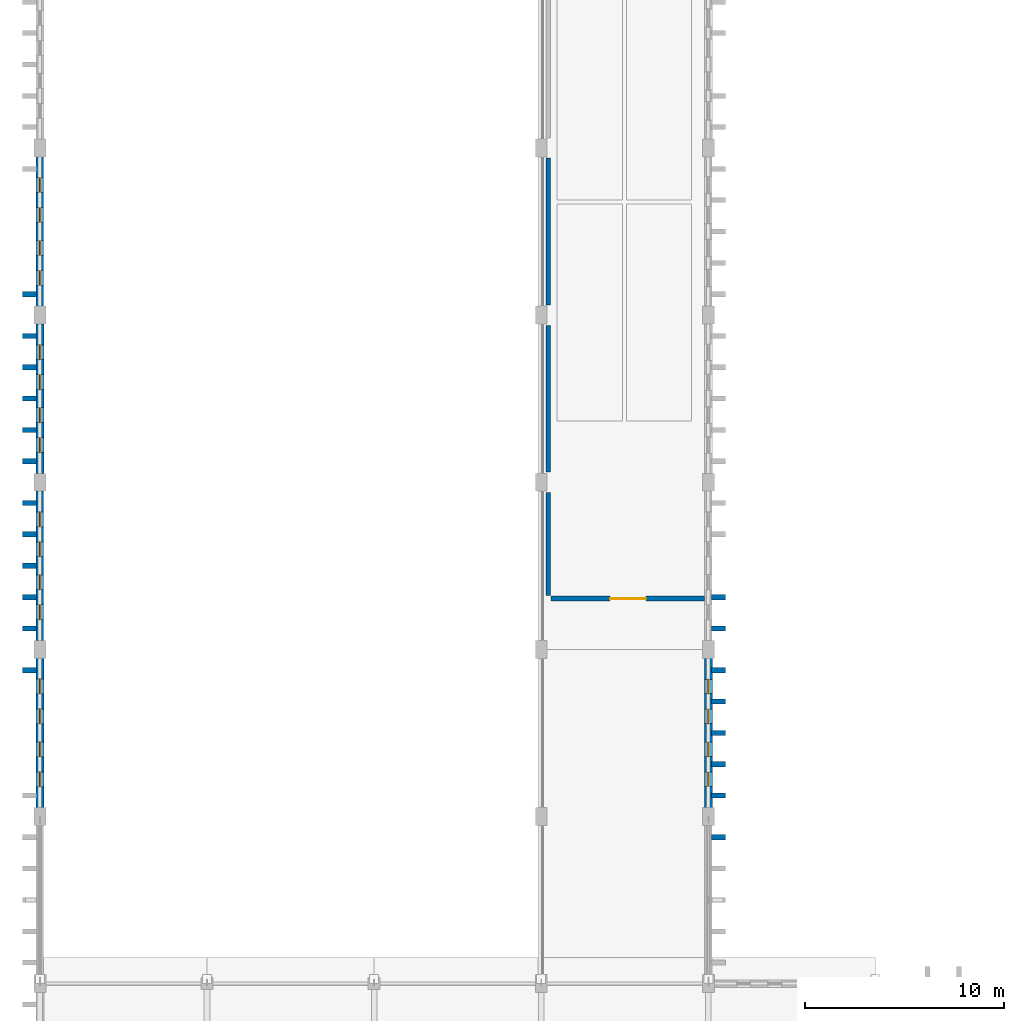
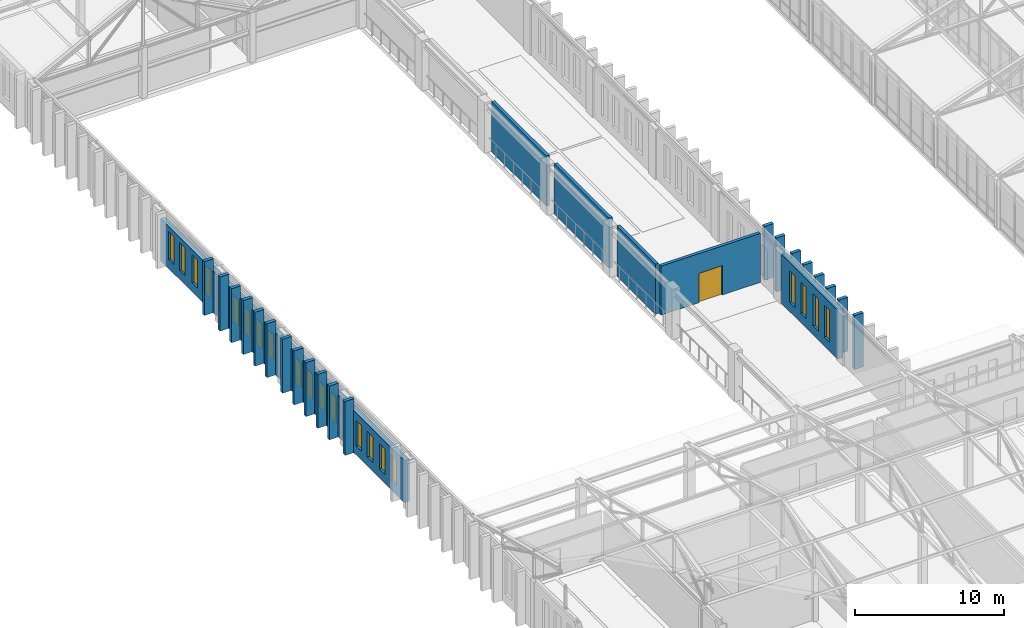
# One storey, part 158 of 192: 29 walls, 20 windows, 1 door, 21 openings.
"""IFC4 building model written with IfcOpenShell, lengths in metres."""

import ifcopenshell
import ifcopenshell.guid

model = None  # the IFC model being written
_history = None  # IfcOwnerHistory: only IFC2X3 demands one
_inside = {}  # id of a spatial element -> (the spatial element, [elements in it])
_under = {}  # id of a project, library or spatial element -> (it, [spatial elements below it])
_declared = {}  # id of a project -> (the project, [libraries it declares])
_typed = {}  # id of a type object -> (the type object, [elements of that type])
_made_of = {}  # id of a material, layer set ... -> (it, [elements and type objects made of it])


def new_model(schema):
    """Start an empty IFC model of exactly this schema.

    Asked for "IFC4X3", IfcOpenShell would pick the latest addendum, in which some entities
    have other attributes; the version numbers below select the first issue.
    IFC2X3 requires an IfcOwnerHistory on every rooted entity: one is made here for all.
    """
    global model, _history
    if schema == "IFC4X3":
        model = ifcopenshell.file(schema_version=(4, 3, 0, 0))
    else:
        model = ifcopenshell.file(schema=schema)
    _inside.clear()
    _under.clear()
    _declared.clear()
    _typed.clear()
    _made_of.clear()
    _history = None
    if model.schema == "IFC2X3":
        org = make("IfcOrganization", Name="unknown")
        user = make(
            "IfcPersonAndOrganization",
            ThePerson=make("IfcPerson", FamilyName="unknown"),
            TheOrganization=org,
        )
        app = make(
            "IfcApplication",
            ApplicationDeveloper=org,
            Version="unknown",
            ApplicationFullName="unknown",
            ApplicationIdentifier="unknown",
        )
        _history = make(
            "IfcOwnerHistory",
            OwningUser=user,
            OwningApplication=app,
            ChangeAction="ADDED",
            CreationDate=0,
        )
    return model


def make(cls, **values):
    """One entity of the class cls with the attributes given. An attribute that is None is left unset."""
    return model.create_entity(
        cls, **{name: value for name, value in values.items() if value is not None}
    )


def rooted(cls, **values):
    """An entity with a GlobalId (a new one), such as an element, a storey or a relation."""
    return make(cls, GlobalId=ifcopenshell.guid.new(), OwnerHistory=_history, **values)


def si_unit(unit_type, name, prefix=None):
    """IfcSIUnit, for example si_unit("LENGTHUNIT", "METRE", prefix="MILLI")."""
    return make("IfcSIUnit", UnitType=unit_type, Prefix=prefix, Name=name)


def assignment(units):
    """IfcUnitAssignment: the units of a project."""
    return None if units is None else make("IfcUnitAssignment", Units=units)


def point(xyz):
    """IfcCartesianPoint."""
    return None if xyz is None else make("IfcCartesianPoint", Coordinates=xyz)


def direction(xyz):
    """IfcDirection."""
    return None if xyz is None else make("IfcDirection", DirectionRatios=xyz)


def frame(location, z_axis=None, x_axis=None):
    """IfcAxis2Placement3D, a coordinate frame: its origin and axes. An axis left out is left unset."""
    return make(
        "IfcAxis2Placement3D",
        Location=point(location),
        Axis=direction(z_axis),
        RefDirection=direction(x_axis),
    )


def frame_2d(location, x_axis=None):
    """IfcAxis2Placement2D, a coordinate frame in the plane: its origin and x axis."""
    return make(
        "IfcAxis2Placement2D", Location=point(location), RefDirection=direction(x_axis)
    )


def origin():
    """The frame at (0, 0, 0) with its axes left unset."""
    return frame((0.0, 0.0, 0.0))


def place(relative_to, where):
    """IfcLocalPlacement: puts the frame where relative to a parent placement (None: the world)."""
    return make(
        "IfcLocalPlacement", PlacementRelTo=relative_to, RelativePlacement=where
    )


def context(
    kind, dimensions, precision=None, world=None, true_north=None, identifier=None
):
    """IfcGeometricRepresentationContext, for example the 3D "Model" context."""
    return make(
        "IfcGeometricRepresentationContext",
        ContextIdentifier=identifier,
        ContextType=kind,
        CoordinateSpaceDimension=dimensions,
        Precision=precision,
        WorldCoordinateSystem=world,
        TrueNorth=true_north,
    )


def subcontext(parent, identifier, kind, view, scale=None):
    """IfcGeometricRepresentationSubContext, for example "Body" below "Model"."""
    return make(
        "IfcGeometricRepresentationSubContext",
        ContextIdentifier=identifier,
        ContextType=kind,
        ParentContext=parent,
        TargetScale=scale,
        TargetView=view,
    )


def project(units=None, contexts=None):
    """IfcProject with its units and contexts."""
    return rooted(
        "IfcProject",
        Name="project",
        RepresentationContexts=contexts,
        UnitsInContext=assignment(units),
    )


def spatial(cls, under=None, at=None, **own):
    """A site, building, storey or space (cls), placed at a placement, below another one or the project."""
    s = rooted(cls, ObjectPlacement=at, **own)
    if under is not None:
        _under.setdefault(under.id(), (under, []))[1].append(s)
    return s


def profile(cls, at=None, kind="AREA", **sizes):
    """A parametric profile (cls). Its sizes go by their IFC names, for example OverallWidth=200.0."""
    return make(cls, ProfileType=kind, Position=at, **sizes)


def rectangle(**sizes):
    """IfcRectangleProfileDef."""
    return profile("IfcRectangleProfileDef", **sizes)


def extrude(swept, where, along, depth):
    """IfcExtrudedAreaSolid: the profile swept, set in the frame where, extruded along a direction by depth."""
    return make(
        "IfcExtrudedAreaSolid",
        SweptArea=swept,
        Position=where,
        ExtrudedDirection=direction(along),
        Depth=depth,
    )


def shape(context_of_items, identifier, shape_type, items):
    """IfcShapeRepresentation: the items that make up one representation, for example the "Body"."""
    return make(
        "IfcShapeRepresentation",
        ContextOfItems=context_of_items,
        RepresentationIdentifier=identifier,
        RepresentationType=shape_type,
        Items=items,
    )


def material(Name=None, Category=None):
    """IfcMaterial."""
    return make("IfcMaterial", Name=Name, Category=Category)


def layer(
    of_material, thickness, ventilated=None, Name=None, Category=None, Priority=None
):
    """IfcMaterialLayer: one layer of a wall or slab, of a material (None: an air gap)."""
    return make(
        "IfcMaterialLayer",
        Material=of_material,
        LayerThickness=thickness,
        IsVentilated=ventilated,
        Name=Name,
        Category=Category,
        Priority=Priority,
    )


def layer_set(layers, Name=None):
    """IfcMaterialLayerSet."""
    return make("IfcMaterialLayerSet", MaterialLayers=layers, LayerSetName=Name)


def made_of(thing, what):
    """Note that an element or type object is made of a material, layer set ...; save() writes the relation."""
    if what is not None:
        _made_of.setdefault(what.id(), (what, []))[1].append(thing)
    return thing


def type_object(cls, material=None, **own):
    """A type object (cls), such as IfcWallType, which elements share."""
    return made_of(rooted(cls, **own), material)


def element(
    cls,
    number,
    at=None,
    inside=None,
    cuts=None,
    type_object=None,
    material=None,
    context=None,
    identifier="Body",
    shape_type=None,
    held_by="IfcProductDefinitionShape",
    body=None,
    shapes=None,
    **own,
):
    """One element of the class cls, such as IfcWall. Its Tag is "e" and its number.

    at: its placement. inside: the storey or other place that contains it. cuts: it is an
    opening in that element (IfcRelVoidsElement). A single representation is given by context,
    identifier, shape_type and body (its items); several are given by shapes. held_by: the class
    of the entity that holds the representations. save() writes the other relations.
    """
    e = rooted(cls, Tag="e%d" % number, ObjectPlacement=at, **own)
    if body is not None:
        shapes = [shape(context, identifier, shape_type, body)]
    if shapes is not None:
        e.Representation = make(held_by, Representations=shapes)
    if inside is not None:
        _inside.setdefault(inside.id(), (inside, []))[1].append(e)
    if cuts is not None:
        rooted(
            "IfcRelVoidsElement", RelatingBuildingElement=cuts, RelatedOpeningElement=e
        )
    if type_object is not None:
        _typed.setdefault(type_object.id(), (type_object, []))[1].append(e)
    return made_of(e, material)


def fill(opening, filler):
    """IfcRelFillsElement: the door or window that sits in an opening."""
    return rooted(
        "IfcRelFillsElement",
        RelatingOpeningElement=opening,
        RelatedBuildingElement=filler,
    )


def aggregate(whole, parts):
    """IfcRelAggregates: a whole, such as a stair, and the parts it consists of."""
    return rooted("IfcRelAggregates", RelatingObject=whole, RelatedObjects=parts)


def save(model, path):
    """Write the relations noted so far, then the file.

    IfcRelAggregates (storeys below a building ...), IfcRelContainedInSpatialStructure (elements
    in a storey), IfcRelDefinesByType, IfcRelAssociatesMaterial and IfcRelDeclares: one each for
    every whole, place, type object, material and project.
    """
    for whole, parts in _under.values():
        aggregate(whole, parts)
    for where, things in _inside.values():
        rooted(
            "IfcRelContainedInSpatialStructure",
            RelatedElements=things,
            RelatingStructure=where,
        )
    for kind, things in _typed.values():
        rooted("IfcRelDefinesByType", RelatedObjects=things, RelatingType=kind)
    for what, things in _made_of.values():
        rooted("IfcRelAssociatesMaterial", RelatedObjects=things, RelatingMaterial=what)
    for by, libraries in _declared.values():
        rooted("IfcRelDeclares", RelatingContext=by, RelatedDefinitions=libraries)
    model.write(path)


model = new_model("IFC4")

# Units and contexts
model_context = context("Model", 3, precision=1e-05, world=origin(), true_north=direction((0.0, 1.0)))
body_context = subcontext(model_context, "Body", "Model", "MODEL_VIEW")
ifc_project = project(units=[si_unit("LENGTHUNIT", "METRE"), si_unit("AREAUNIT", "SQUARE_METRE"), si_unit("VOLUMEUNIT", "CUBIC_METRE"), si_unit("PLANEANGLEUNIT", "RADIAN"), si_unit("MASSUNIT", "GRAM", prefix="KILO")], contexts=[model_context])

# Site, building, storey
site_placement = place(None, origin())
site = spatial("IfcSite", under=ifc_project, at=site_placement, CompositionType="ELEMENT")
building_placement = place(site_placement, origin())
building = spatial("IfcBuilding", under=site, at=building_placement, Name="Kveldsbrygga Polytechnic", CompositionType="ELEMENT")
storey_placement = place(building_placement, frame((0.0, 0.0, 5.43994140625)))
storey = spatial("IfcBuildingStorey", under=building, at=storey_placement, Name="L01", CompositionType="ELEMENT", Elevation=5.43994140625)

# Wall, openings, windows
ifc_material_1 = material(Name="Fired clay brick masonry M10", Category="masonry")
ifc_layer_1 = layer(ifc_material_1, 0.3798828125)
ifc_layer_set_1 = layer_set([ifc_layer_1], Name="Fired clay brick masonry M10")
wall_type_1 = type_object("IfcWallType", Name="EW-BRICK-380", PredefinedType="SOLIDWALL", material=ifc_layer_set_1)
wall_1_placement = place(storey_placement, frame((0.0, 42.43505859375, 0.0), z_axis=(0.0, 0.0, 1.0), x_axis=(0.0, 1.0, 0.0)))
wall_1 = element("IfcWall", 1, at=wall_1_placement, inside=storey, type_object=wall_type_1, Name="Exterior Brick Wall EW-L01-Y-00-05", PredefinedType="SOLIDWALL", context=body_context, shape_type="SweptSolid", body=[
    extrude(rectangle(XDim=7.530029296875, YDim=0.3798828125, at=frame_2d((3.76513671875, 0.0))), origin(), (0.0, 0.0, 1.0), 3.4599609375),
])
opening_1_placement = place(wall_1_placement, frame((1.0556640625, 0.0, 0.75)))
opening_1 = element("IfcOpeningElement", 2, at=opening_1_placement, cuts=wall_1, Name="Opening W-27", PredefinedType="OPENING", context=body_context, shape_type="SweptSolid", body=[
    extrude(rectangle(XDim=0.75, YDim=2.10009765625, at=frame_2d((0.375, 1.050048828125))), frame((0.0, 0.199951171875, 0.0), z_axis=(0.0, -1.0, 0.0), x_axis=(1.0, 0.0, 0.0)), (0.0, 0.0, 1.0), 0.39990234375),
])
opening_2_placement = place(wall_1_placement, frame((2.561767578125, 0.0, 0.75)))
opening_2 = element("IfcOpeningElement", 3, at=opening_2_placement, cuts=wall_1, Name="Opening W-27", PredefinedType="OPENING", context=body_context, shape_type="SweptSolid", body=[
    extrude(rectangle(XDim=0.75, YDim=2.10009765625, at=frame_2d((0.375, 1.050048828125))), frame((0.0, 0.199951171875, 0.0), z_axis=(0.0, -1.0, 0.0), x_axis=(1.0, 0.0, 0.0)), (0.0, 0.0, 1.0), 0.39990234375),
])
opening_3_placement = place(wall_1_placement, frame((4.21826171875, 0.0, 0.75)))
opening_3 = element("IfcOpeningElement", 4, at=opening_3_placement, cuts=wall_1, Name="Opening W-27", PredefinedType="OPENING", context=body_context, shape_type="SweptSolid", body=[
    extrude(rectangle(XDim=0.75, YDim=2.10009765625, at=frame_2d((0.375, 1.050048828125))), frame((0.0, 0.199951171875, 0.0), z_axis=(0.0, -1.0, 0.0), x_axis=(1.0, 0.0, 0.0)), (0.0, 0.0, 1.0), 0.39990234375),
])
opening_4_placement = place(wall_1_placement, frame((5.724365234375, 0.0, 0.75)))
opening_4 = element("IfcOpeningElement", 5, at=opening_4_placement, cuts=wall_1, Name="Opening W-27", PredefinedType="OPENING", context=body_context, shape_type="SweptSolid", body=[
    extrude(rectangle(XDim=0.75, YDim=2.10009765625, at=frame_2d((0.375, 1.050048828125))), frame((0.0, 0.199951171875, 0.0), z_axis=(0.0, -1.0, 0.0), x_axis=(1.0, 0.0, 0.0)), (0.0, 0.0, 1.0), 0.39990234375),
])
ifc_material_2 = material(Name="Insulated triple low-E glass", Category="glass")
window_type_1 = type_object("IfcWindowType", Name="WN-ATTIC-075x210", PartitioningType="DOUBLE_PANEL_VERTICAL", PredefinedType="WINDOW", material=ifc_material_2)
window_1_placement = place(opening_1_placement, origin())
window_1 = element("IfcWindow", 6, at=window_1_placement, inside=storey, type_object=window_type_1, Name="Gothic Lancet Window WIN-L01-Y-00-05-1", OverallHeight=2.10009765625, OverallWidth=0.75, PartitioningType="DOUBLE_PANEL_VERTICAL", PredefinedType="WINDOW", context=body_context, shape_type="SweptSolid", body=[
    extrude(rectangle(XDim=0.75, YDim=2.10009765625, at=frame_2d((0.375, 1.050048828125))), frame((0.0, 0.030029296875, 0.0), z_axis=(0.0, -1.0, 0.0), x_axis=(1.0, 0.0, 0.0)), (0.0, 0.0, 1.0), 0.06005859375),
])
fill(opening_1, window_1)
window_2_placement = place(opening_2_placement, origin())
window_2 = element("IfcWindow", 7, at=window_2_placement, inside=storey, type_object=window_type_1, Name="Gothic Lancet Window WIN-L01-Y-00-05-2", OverallHeight=2.10009765625, OverallWidth=0.75, PartitioningType="DOUBLE_PANEL_VERTICAL", PredefinedType="WINDOW", context=body_context, shape_type="SweptSolid", body=[
    extrude(rectangle(XDim=0.75, YDim=2.10009765625, at=frame_2d((0.375, 1.050048828125))), frame((0.0, 0.030029296875, 0.0), z_axis=(0.0, -1.0, 0.0), x_axis=(1.0, 0.0, 0.0)), (0.0, 0.0, 1.0), 0.06005859375),
])
fill(opening_2, window_2)
window_3_placement = place(opening_3_placement, origin())
window_3 = element("IfcWindow", 8, at=window_3_placement, inside=storey, type_object=window_type_1, Name="Gothic Lancet Window WIN-L01-Y-00-05-3", OverallHeight=2.10009765625, OverallWidth=0.75, PartitioningType="DOUBLE_PANEL_VERTICAL", PredefinedType="WINDOW", context=body_context, shape_type="SweptSolid", body=[
    extrude(rectangle(XDim=0.75, YDim=2.10009765625, at=frame_2d((0.375, 1.050048828125))), frame((0.0, 0.030029296875, 0.0), z_axis=(0.0, -1.0, 0.0), x_axis=(1.0, 0.0, 0.0)), (0.0, 0.0, 1.0), 0.06005859375),
])
fill(opening_3, window_3)
window_4_placement = place(opening_4_placement, origin())
window_4 = element("IfcWindow", 9, at=window_4_placement, inside=storey, type_object=window_type_1, Name="Gothic Lancet Window WIN-L01-Y-00-05-4", OverallHeight=2.10009765625, OverallWidth=0.75, PartitioningType="DOUBLE_PANEL_VERTICAL", PredefinedType="WINDOW", context=body_context, shape_type="SweptSolid", body=[
    extrude(rectangle(XDim=0.75, YDim=2.10009765625, at=frame_2d((0.375, 1.050048828125))), frame((0.0, 0.030029296875, 0.0), z_axis=(0.0, -1.0, 0.0), x_axis=(1.0, 0.0, 0.0)), (0.0, 0.0, 1.0), 0.06005859375),
])
fill(opening_4, window_4)

wall_2_placement = place(storey_placement, frame((0.0, 59.235107421875, 0.0), z_axis=(0.0, 0.0, 1.0), x_axis=(0.0, 1.0, 0.0)))
wall_2 = element("IfcWall", 10, at=wall_2_placement, inside=storey, type_object=wall_type_1, Name="Exterior Brick Wall EW-L01-Y-00-07", PredefinedType="SOLIDWALL", context=body_context, shape_type="SweptSolid", body=[
    extrude(rectangle(XDim=7.52978515625, YDim=0.3798828125, at=frame_2d((3.764892578125, 0.0))), origin(), (0.0, 0.0, 1.0), 3.4599609375),
])
opening_5_placement = place(wall_2_placement, frame((1.060791015625, 0.0, 0.75)))
opening_5 = element("IfcOpeningElement", 11, at=opening_5_placement, cuts=wall_2, Name="Opening W-04", PredefinedType="OPENING", context=body_context, shape_type="SweptSolid", body=[
    extrude(rectangle(XDim=0.739990234375, YDim=2.300048828125, at=frame_2d((0.3701171875, 1.14990234375))), frame((0.0, 0.199951171875, 0.0), z_axis=(0.0, -1.0, 0.0), x_axis=(1.0, 0.0, 0.0)), (0.0, 0.0, 1.0), 0.39990234375),
])
opening_6_placement = place(wall_2_placement, frame((2.566650390625, 0.0, 0.75)))
opening_6 = element("IfcOpeningElement", 12, at=opening_6_placement, cuts=wall_2, Name="Opening W-04", PredefinedType="OPENING", context=body_context, shape_type="SweptSolid", body=[
    extrude(rectangle(XDim=0.739990234375, YDim=2.300048828125, at=frame_2d((0.3701171875, 1.14990234375))), frame((0.0, 0.199951171875, 0.0), z_axis=(0.0, -1.0, 0.0), x_axis=(1.0, 0.0, 0.0)), (0.0, 0.0, 1.0), 0.39990234375),
])
opening_7_placement = place(wall_2_placement, frame((4.223388671875, 0.0, 0.75)))
opening_7 = element("IfcOpeningElement", 13, at=opening_7_placement, cuts=wall_2, Name="Opening W-04", PredefinedType="OPENING", context=body_context, shape_type="SweptSolid", body=[
    extrude(rectangle(XDim=0.739990234375, YDim=2.300048828125, at=frame_2d((0.3701171875, 1.14990234375))), frame((0.0, 0.199951171875, 0.0), z_axis=(0.0, -1.0, 0.0), x_axis=(1.0, 0.0, 0.0)), (0.0, 0.0, 1.0), 0.39990234375),
])
opening_8_placement = place(wall_2_placement, frame((5.729248046875, 0.0, 0.75)))
opening_8 = element("IfcOpeningElement", 14, at=opening_8_placement, cuts=wall_2, Name="Opening W-04", PredefinedType="OPENING", context=body_context, shape_type="SweptSolid", body=[
    extrude(rectangle(XDim=0.739990234375, YDim=2.300048828125, at=frame_2d((0.3701171875, 1.14990234375))), frame((0.0, 0.199951171875, 0.0), z_axis=(0.0, -1.0, 0.0), x_axis=(1.0, 0.0, 0.0)), (0.0, 0.0, 1.0), 0.39990234375),
])
window_type_2 = type_object("IfcWindowType", Name="WN-LANC-074x230", PartitioningType="DOUBLE_PANEL_VERTICAL", PredefinedType="WINDOW", material=ifc_material_2)
window_5_placement = place(opening_5_placement, origin())
window_5 = element("IfcWindow", 15, at=window_5_placement, inside=storey, type_object=window_type_2, Name="Gothic Lancet Window WIN-L01-Y-00-07-1", OverallHeight=2.300048828125, OverallWidth=0.739990234375, PartitioningType="DOUBLE_PANEL_VERTICAL", PredefinedType="WINDOW", context=body_context, shape_type="SweptSolid", body=[
    extrude(rectangle(XDim=0.739990234375, YDim=2.300048828125, at=frame_2d((0.3701171875, 1.14990234375))), frame((0.0, 0.030029296875, 0.0), z_axis=(0.0, -1.0, 0.0), x_axis=(1.0, 0.0, 0.0)), (0.0, 0.0, 1.0), 0.06005859375),
])
fill(opening_5, window_5)
window_6_placement = place(opening_6_placement, origin())
window_6 = element("IfcWindow", 16, at=window_6_placement, inside=storey, type_object=window_type_2, Name="Gothic Lancet Window WIN-L01-Y-00-07-2", OverallHeight=2.300048828125, OverallWidth=0.739990234375, PartitioningType="DOUBLE_PANEL_VERTICAL", PredefinedType="WINDOW", context=body_context, shape_type="SweptSolid", body=[
    extrude(rectangle(XDim=0.739990234375, YDim=2.300048828125, at=frame_2d((0.3701171875, 1.14990234375))), frame((0.0, 0.030029296875, 0.0), z_axis=(0.0, -1.0, 0.0), x_axis=(1.0, 0.0, 0.0)), (0.0, 0.0, 1.0), 0.06005859375),
])
fill(opening_6, window_6)
window_7_placement = place(opening_7_placement, origin())
window_7 = element("IfcWindow", 17, at=window_7_placement, inside=storey, type_object=window_type_2, Name="Gothic Lancet Window WIN-L01-Y-00-07-3", OverallHeight=2.300048828125, OverallWidth=0.739990234375, PartitioningType="DOUBLE_PANEL_VERTICAL", PredefinedType="WINDOW", context=body_context, shape_type="SweptSolid", body=[
    extrude(rectangle(XDim=0.739990234375, YDim=2.300048828125, at=frame_2d((0.3701171875, 1.14990234375))), frame((0.0, 0.030029296875, 0.0), z_axis=(0.0, -1.0, 0.0), x_axis=(1.0, 0.0, 0.0)), (0.0, 0.0, 1.0), 0.06005859375),
])
fill(opening_7, window_7)
window_8_placement = place(opening_8_placement, origin())
window_8 = element("IfcWindow", 18, at=window_8_placement, inside=storey, type_object=window_type_2, Name="Gothic Lancet Window WIN-L01-Y-00-07-4", OverallHeight=2.300048828125, OverallWidth=0.739990234375, PartitioningType="DOUBLE_PANEL_VERTICAL", PredefinedType="WINDOW", context=body_context, shape_type="SweptSolid", body=[
    extrude(rectangle(XDim=0.739990234375, YDim=2.300048828125, at=frame_2d((0.3701171875, 1.14990234375))), frame((0.0, 0.030029296875, 0.0), z_axis=(0.0, -1.0, 0.0), x_axis=(1.0, 0.0, 0.0)), (0.0, 0.0, 1.0), 0.06005859375),
])
fill(opening_8, window_8)

ifc_layer_2 = layer(ifc_material_1, 0.39990234375)
ifc_layer_set_2 = layer_set([ifc_layer_2], Name="Fired clay brick masonry M10")
wall_type_2 = type_object("IfcWallType", Name="EW-BRICK-400", PredefinedType="SOLIDWALL", material=ifc_layer_set_2)
wall_3_placement = place(storey_placement, frame((0.0, 34.034912109375, 0.0), z_axis=(0.0, 0.0, 1.0), x_axis=(0.0, 1.0, 0.0)))
wall_3 = element("IfcWall", 19, at=wall_3_placement, inside=storey, type_object=wall_type_2, Name="Exterior Brick Wall EW-L01-Y-00-04", PredefinedType="SOLIDWALL", context=body_context, shape_type="SweptSolid", body=[
    extrude(rectangle(XDim=7.530029296875, YDim=0.39990234375, at=frame_2d((3.76513671875, 0.0))), origin(), (0.0, 0.0, 1.0), 3.4599609375),
])
opening_9_placement = place(wall_3_placement, frame((1.0556640625, 0.0, 0.75)))
opening_9 = element("IfcOpeningElement", 20, at=opening_9_placement, cuts=wall_3, Name="Opening W-27", PredefinedType="OPENING", context=body_context, shape_type="SweptSolid", body=[
    extrude(rectangle(XDim=0.75, YDim=2.10009765625, at=frame_2d((0.375, 1.050048828125))), frame((0.0, 0.2099609375, 0.0), z_axis=(0.0, -1.0, 0.0), x_axis=(1.0, 0.0, 0.0)), (0.0, 0.0, 1.0), 0.419921875),
])
opening_10_placement = place(wall_3_placement, frame((2.561767578125, 0.0, 0.75)))
opening_10 = element("IfcOpeningElement", 21, at=opening_10_placement, cuts=wall_3, Name="Opening W-27", PredefinedType="OPENING", context=body_context, shape_type="SweptSolid", body=[
    extrude(rectangle(XDim=0.75, YDim=2.10009765625, at=frame_2d((0.375, 1.050048828125))), frame((0.0, 0.2099609375, 0.0), z_axis=(0.0, -1.0, 0.0), x_axis=(1.0, 0.0, 0.0)), (0.0, 0.0, 1.0), 0.419921875),
])
opening_11_placement = place(wall_3_placement, frame((4.21826171875, 0.0, 0.75)))
opening_11 = element("IfcOpeningElement", 22, at=opening_11_placement, cuts=wall_3, Name="Opening W-27", PredefinedType="OPENING", context=body_context, shape_type="SweptSolid", body=[
    extrude(rectangle(XDim=0.75, YDim=2.10009765625, at=frame_2d((0.375, 1.050048828125))), frame((0.0, 0.2099609375, 0.0), z_axis=(0.0, -1.0, 0.0), x_axis=(1.0, 0.0, 0.0)), (0.0, 0.0, 1.0), 0.419921875),
])
opening_12_placement = place(wall_3_placement, frame((5.724365234375, 0.0, 0.75)))
opening_12 = element("IfcOpeningElement", 23, at=opening_12_placement, cuts=wall_3, Name="Opening W-27", PredefinedType="OPENING", context=body_context, shape_type="SweptSolid", body=[
    extrude(rectangle(XDim=0.75, YDim=2.10009765625, at=frame_2d((0.375, 1.050048828125))), frame((0.0, 0.2099609375, 0.0), z_axis=(0.0, -1.0, 0.0), x_axis=(1.0, 0.0, 0.0)), (0.0, 0.0, 1.0), 0.419921875),
])
window_9_placement = place(opening_9_placement, origin())
window_9 = element("IfcWindow", 24, at=window_9_placement, inside=storey, type_object=window_type_1, Name="Gothic Lancet Window WIN-L01-Y-00-04-1", OverallHeight=2.10009765625, OverallWidth=0.75, PartitioningType="DOUBLE_PANEL_VERTICAL", PredefinedType="WINDOW", context=body_context, shape_type="SweptSolid", body=[
    extrude(rectangle(XDim=0.75, YDim=2.10009765625, at=frame_2d((0.375, 1.050048828125))), frame((0.0, 0.030029296875, 0.0), z_axis=(0.0, -1.0, 0.0), x_axis=(1.0, 0.0, 0.0)), (0.0, 0.0, 1.0), 0.06005859375),
])
fill(opening_9, window_9)
window_10_placement = place(opening_10_placement, origin())
window_10 = element("IfcWindow", 25, at=window_10_placement, inside=storey, type_object=window_type_1, Name="Gothic Lancet Window WIN-L01-Y-00-04-2", OverallHeight=2.10009765625, OverallWidth=0.75, PartitioningType="DOUBLE_PANEL_VERTICAL", PredefinedType="WINDOW", context=body_context, shape_type="SweptSolid", body=[
    extrude(rectangle(XDim=0.75, YDim=2.10009765625, at=frame_2d((0.375, 1.050048828125))), frame((0.0, 0.030029296875, 0.0), z_axis=(0.0, -1.0, 0.0), x_axis=(1.0, 0.0, 0.0)), (0.0, 0.0, 1.0), 0.06005859375),
])
fill(opening_10, window_10)
window_11_placement = place(opening_11_placement, origin())
window_11 = element("IfcWindow", 26, at=window_11_placement, inside=storey, type_object=window_type_1, Name="Gothic Lancet Window WIN-L01-Y-00-04-3", OverallHeight=2.10009765625, OverallWidth=0.75, PartitioningType="DOUBLE_PANEL_VERTICAL", PredefinedType="WINDOW", context=body_context, shape_type="SweptSolid", body=[
    extrude(rectangle(XDim=0.75, YDim=2.10009765625, at=frame_2d((0.375, 1.050048828125))), frame((0.0, 0.030029296875, 0.0), z_axis=(0.0, -1.0, 0.0), x_axis=(1.0, 0.0, 0.0)), (0.0, 0.0, 1.0), 0.06005859375),
])
fill(opening_11, window_11)
window_12_placement = place(opening_12_placement, origin())
window_12 = element("IfcWindow", 27, at=window_12_placement, inside=storey, type_object=window_type_1, Name="Gothic Lancet Window WIN-L01-Y-00-04-4", OverallHeight=2.10009765625, OverallWidth=0.75, PartitioningType="DOUBLE_PANEL_VERTICAL", PredefinedType="WINDOW", context=body_context, shape_type="SweptSolid", body=[
    extrude(rectangle(XDim=0.75, YDim=2.10009765625, at=frame_2d((0.375, 1.050048828125))), frame((0.0, 0.030029296875, 0.0), z_axis=(0.0, -1.0, 0.0), x_axis=(1.0, 0.0, 0.0)), (0.0, 0.0, 1.0), 0.06005859375),
])
fill(opening_12, window_12)

wall_4_placement = place(storey_placement, frame((0.0, 50.8349609375, 0.0), z_axis=(0.0, 0.0, 1.0), x_axis=(0.0, 1.0, 0.0)))
wall_4 = element("IfcWall", 28, at=wall_4_placement, inside=storey, type_object=wall_type_2, Name="Exterior Brick Wall EW-L01-Y-00-06", PredefinedType="SOLIDWALL", context=body_context, shape_type="SweptSolid", body=[
    extrude(rectangle(XDim=7.530029296875, YDim=0.39990234375, at=frame_2d((3.76513671875, 0.0))), origin(), (0.0, 0.0, 1.0), 3.4599609375),
])
opening_13_placement = place(wall_4_placement, frame((1.0556640625, 0.0, 0.75)))
opening_13 = element("IfcOpeningElement", 29, at=opening_13_placement, cuts=wall_4, Name="Opening W-27", PredefinedType="OPENING", context=body_context, shape_type="SweptSolid", body=[
    extrude(rectangle(XDim=0.75, YDim=2.10009765625, at=frame_2d((0.375, 1.050048828125))), frame((0.0, 0.2099609375, 0.0), z_axis=(0.0, -1.0, 0.0), x_axis=(1.0, 0.0, 0.0)), (0.0, 0.0, 1.0), 0.419921875),
])
opening_14_placement = place(wall_4_placement, frame((2.561767578125, 0.0, 0.75)))
opening_14 = element("IfcOpeningElement", 30, at=opening_14_placement, cuts=wall_4, Name="Opening W-27", PredefinedType="OPENING", context=body_context, shape_type="SweptSolid", body=[
    extrude(rectangle(XDim=0.75, YDim=2.10009765625, at=frame_2d((0.375, 1.050048828125))), frame((0.0, 0.2099609375, 0.0), z_axis=(0.0, -1.0, 0.0), x_axis=(1.0, 0.0, 0.0)), (0.0, 0.0, 1.0), 0.419921875),
])
opening_15_placement = place(wall_4_placement, frame((4.21826171875, 0.0, 0.75)))
opening_15 = element("IfcOpeningElement", 31, at=opening_15_placement, cuts=wall_4, Name="Opening W-27", PredefinedType="OPENING", context=body_context, shape_type="SweptSolid", body=[
    extrude(rectangle(XDim=0.75, YDim=2.10009765625, at=frame_2d((0.375, 1.050048828125))), frame((0.0, 0.2099609375, 0.0), z_axis=(0.0, -1.0, 0.0), x_axis=(1.0, 0.0, 0.0)), (0.0, 0.0, 1.0), 0.419921875),
])
opening_16_placement = place(wall_4_placement, frame((5.724365234375, 0.0, 0.75)))
opening_16 = element("IfcOpeningElement", 32, at=opening_16_placement, cuts=wall_4, Name="Opening W-27", PredefinedType="OPENING", context=body_context, shape_type="SweptSolid", body=[
    extrude(rectangle(XDim=0.75, YDim=2.10009765625, at=frame_2d((0.375, 1.050048828125))), frame((0.0, 0.2099609375, 0.0), z_axis=(0.0, -1.0, 0.0), x_axis=(1.0, 0.0, 0.0)), (0.0, 0.0, 1.0), 0.419921875),
])
window_13_placement = place(opening_13_placement, origin())
window_13 = element("IfcWindow", 33, at=window_13_placement, inside=storey, type_object=window_type_1, Name="Gothic Lancet Window WIN-L01-Y-00-06-1", OverallHeight=2.10009765625, OverallWidth=0.75, PartitioningType="DOUBLE_PANEL_VERTICAL", PredefinedType="WINDOW", context=body_context, shape_type="SweptSolid", body=[
    extrude(rectangle(XDim=0.75, YDim=2.10009765625, at=frame_2d((0.375, 1.050048828125))), frame((0.0, 0.030029296875, 0.0), z_axis=(0.0, -1.0, 0.0), x_axis=(1.0, 0.0, 0.0)), (0.0, 0.0, 1.0), 0.06005859375),
])
fill(opening_13, window_13)
window_14_placement = place(opening_14_placement, origin())
window_14 = element("IfcWindow", 34, at=window_14_placement, inside=storey, type_object=window_type_1, Name="Gothic Lancet Window WIN-L01-Y-00-06-2", OverallHeight=2.10009765625, OverallWidth=0.75, PartitioningType="DOUBLE_PANEL_VERTICAL", PredefinedType="WINDOW", context=body_context, shape_type="SweptSolid", body=[
    extrude(rectangle(XDim=0.75, YDim=2.10009765625, at=frame_2d((0.375, 1.050048828125))), frame((0.0, 0.030029296875, 0.0), z_axis=(0.0, -1.0, 0.0), x_axis=(1.0, 0.0, 0.0)), (0.0, 0.0, 1.0), 0.06005859375),
])
fill(opening_14, window_14)
window_15_placement = place(opening_15_placement, origin())
window_15 = element("IfcWindow", 35, at=window_15_placement, inside=storey, type_object=window_type_1, Name="Gothic Lancet Window WIN-L01-Y-00-06-3", OverallHeight=2.10009765625, OverallWidth=0.75, PartitioningType="DOUBLE_PANEL_VERTICAL", PredefinedType="WINDOW", context=body_context, shape_type="SweptSolid", body=[
    extrude(rectangle(XDim=0.75, YDim=2.10009765625, at=frame_2d((0.375, 1.050048828125))), frame((0.0, 0.030029296875, 0.0), z_axis=(0.0, -1.0, 0.0), x_axis=(1.0, 0.0, 0.0)), (0.0, 0.0, 1.0), 0.06005859375),
])
fill(opening_15, window_15)
window_16_placement = place(opening_16_placement, origin())
window_16 = element("IfcWindow", 36, at=window_16_placement, inside=storey, type_object=window_type_1, Name="Gothic Lancet Window WIN-L01-Y-00-06-4", OverallHeight=2.10009765625, OverallWidth=0.75, PartitioningType="DOUBLE_PANEL_VERTICAL", PredefinedType="WINDOW", context=body_context, shape_type="SweptSolid", body=[
    extrude(rectangle(XDim=0.75, YDim=2.10009765625, at=frame_2d((0.375, 1.050048828125))), frame((0.0, 0.030029296875, 0.0), z_axis=(0.0, -1.0, 0.0), x_axis=(1.0, 0.0, 0.0)), (0.0, 0.0, 1.0), 0.06005859375),
])
fill(opening_16, window_16)

wall_5_placement = place(storey_placement, frame((33.60009765625, 34.034912109375, 0.0), z_axis=(0.0, 0.0, 1.0), x_axis=(0.0, 1.0, 0.0)))
wall_5 = element("IfcWall", 37, at=wall_5_placement, inside=storey, type_object=wall_type_2, Name="Exterior Brick Wall EW-L01-Y-04-04", PredefinedType="SOLIDWALL", context=body_context, shape_type="SweptSolid", body=[
    extrude(rectangle(XDim=7.530029296875, YDim=0.39990234375, at=frame_2d((3.76513671875, 0.0))), origin(), (0.0, 0.0, 1.0), 4.02001953125),
])
opening_17_placement = place(wall_5_placement, frame((1.07080078125, 0.0, 0.75)))
opening_17 = element("IfcOpeningElement", 38, at=opening_17_placement, cuts=wall_5, Name="Opening W-01", PredefinedType="OPENING", context=body_context, shape_type="SweptSolid", body=[
    extrude(rectangle(XDim=0.719970703125, YDim=2.60009765625, at=frame_2d((0.35986328125, 1.300048828125))), frame((0.0, 0.2099609375, 0.0), z_axis=(0.0, -1.0, 0.0), x_axis=(1.0, 0.0, 0.0)), (0.0, 0.0, 1.0), 0.419921875),
])
opening_18_placement = place(wall_5_placement, frame((2.57666015625, 0.0, 0.75)))
opening_18 = element("IfcOpeningElement", 39, at=opening_18_placement, cuts=wall_5, Name="Opening W-01", PredefinedType="OPENING", context=body_context, shape_type="SweptSolid", body=[
    extrude(rectangle(XDim=0.719970703125, YDim=2.60009765625, at=frame_2d((0.35986328125, 1.300048828125))), frame((0.0, 0.2099609375, 0.0), z_axis=(0.0, -1.0, 0.0), x_axis=(1.0, 0.0, 0.0)), (0.0, 0.0, 1.0), 0.419921875),
])
opening_19_placement = place(wall_5_placement, frame((4.2333984375, 0.0, 0.75)))
opening_19 = element("IfcOpeningElement", 40, at=opening_19_placement, cuts=wall_5, Name="Opening W-01", PredefinedType="OPENING", context=body_context, shape_type="SweptSolid", body=[
    extrude(rectangle(XDim=0.719970703125, YDim=2.60009765625, at=frame_2d((0.35986328125, 1.300048828125))), frame((0.0, 0.2099609375, 0.0), z_axis=(0.0, -1.0, 0.0), x_axis=(1.0, 0.0, 0.0)), (0.0, 0.0, 1.0), 0.419921875),
])
opening_20_placement = place(wall_5_placement, frame((5.7392578125, 0.0, 0.75)))
opening_20 = element("IfcOpeningElement", 41, at=opening_20_placement, cuts=wall_5, Name="Opening W-01", PredefinedType="OPENING", context=body_context, shape_type="SweptSolid", body=[
    extrude(rectangle(XDim=0.719970703125, YDim=2.60009765625, at=frame_2d((0.35986328125, 1.300048828125))), frame((0.0, 0.2099609375, 0.0), z_axis=(0.0, -1.0, 0.0), x_axis=(1.0, 0.0, 0.0)), (0.0, 0.0, 1.0), 0.419921875),
])
window_type_3 = type_object("IfcWindowType", Name="WN-LANC-072x260", PartitioningType="DOUBLE_PANEL_VERTICAL", PredefinedType="WINDOW", material=ifc_material_2)
window_17_placement = place(opening_17_placement, origin())
window_17 = element("IfcWindow", 42, at=window_17_placement, inside=storey, type_object=window_type_3, Name="Gothic Lancet Window WIN-L01-Y-04-04-1", OverallHeight=2.60009765625, OverallWidth=0.719970703125, PartitioningType="DOUBLE_PANEL_VERTICAL", PredefinedType="WINDOW", context=body_context, shape_type="SweptSolid", body=[
    extrude(rectangle(XDim=0.719970703125, YDim=2.60009765625, at=frame_2d((0.35986328125, 1.300048828125))), frame((0.0, 0.030029296875, 0.0), z_axis=(0.0, -1.0, 0.0), x_axis=(1.0, 0.0, 0.0)), (0.0, 0.0, 1.0), 0.06005859375),
])
fill(opening_17, window_17)
window_18_placement = place(opening_18_placement, origin())
window_18 = element("IfcWindow", 43, at=window_18_placement, inside=storey, type_object=window_type_3, Name="Gothic Lancet Window WIN-L01-Y-04-04-2", OverallHeight=2.60009765625, OverallWidth=0.719970703125, PartitioningType="DOUBLE_PANEL_VERTICAL", PredefinedType="WINDOW", context=body_context, shape_type="SweptSolid", body=[
    extrude(rectangle(XDim=0.719970703125, YDim=2.60009765625, at=frame_2d((0.35986328125, 1.300048828125))), frame((0.0, 0.030029296875, 0.0), z_axis=(0.0, -1.0, 0.0), x_axis=(1.0, 0.0, 0.0)), (0.0, 0.0, 1.0), 0.06005859375),
])
fill(opening_18, window_18)
window_19_placement = place(opening_19_placement, origin())
window_19 = element("IfcWindow", 44, at=window_19_placement, inside=storey, type_object=window_type_3, Name="Gothic Lancet Window WIN-L01-Y-04-04-3", OverallHeight=2.60009765625, OverallWidth=0.719970703125, PartitioningType="DOUBLE_PANEL_VERTICAL", PredefinedType="WINDOW", context=body_context, shape_type="SweptSolid", body=[
    extrude(rectangle(XDim=0.719970703125, YDim=2.60009765625, at=frame_2d((0.35986328125, 1.300048828125))), frame((0.0, 0.030029296875, 0.0), z_axis=(0.0, -1.0, 0.0), x_axis=(1.0, 0.0, 0.0)), (0.0, 0.0, 1.0), 0.06005859375),
])
fill(opening_19, window_19)
window_20_placement = place(opening_20_placement, origin())
window_20 = element("IfcWindow", 45, at=window_20_placement, inside=storey, type_object=window_type_3, Name="Gothic Lancet Window WIN-L01-Y-04-04-4", OverallHeight=2.60009765625, OverallWidth=0.719970703125, PartitioningType="DOUBLE_PANEL_VERTICAL", PredefinedType="WINDOW", context=body_context, shape_type="SweptSolid", body=[
    extrude(rectangle(XDim=0.719970703125, YDim=2.60009765625, at=frame_2d((0.35986328125, 1.300048828125))), frame((0.0, 0.030029296875, 0.0), z_axis=(0.0, -1.0, 0.0), x_axis=(1.0, 0.0, 0.0)), (0.0, 0.0, 1.0), 0.06005859375),
])
fill(opening_20, window_20)

# Walls
ifc_layer_3 = layer(ifc_material_1, 0.260009765625)
ifc_layer_set_3 = layer_set([ifc_layer_3], Name="Fired clay brick masonry M10")
wall_type_3 = type_object("IfcWallType", Name="EW-BUTT-260", PredefinedType="SOLIDWALL", material=ifc_layer_set_3)
for number, where, z_axis, x_axis, name in (
    (46, (-0.1650390625, 40.949951171875, 0.0), (0.0, 0.0, 1.0), (-1.0, 0.0, 0.0), "Gothic Brick Buttress Pier BUTT-L01-Y-00-04-5"),
    (47, (-0.1650390625, 43.050048828125, 0.0), (0.0, 0.0, 1.0), (-1.0, 0.0, 0.0), "Gothic Brick Buttress Pier BUTT-L01-Y-00-05-1"),
    (48, (-0.1650390625, 44.6201171875, 0.0), (0.0, 0.0, 1.0), (-1.0, 0.0, 0.0), "Gothic Brick Buttress Pier BUTT-L01-Y-00-05-2"),
    (49, (-0.1650390625, 46.199951171875, 0.0), (0.0, 0.0, 1.0), (-1.0, 0.0, 0.0), "Gothic Brick Buttress Pier BUTT-L01-Y-00-05-3"),
    (50, (-0.1650390625, 47.780029296875, 0.0), (0.0, 0.0, 1.0), (-1.0, 0.0, 0.0), "Gothic Brick Buttress Pier BUTT-L01-Y-00-05-4"),
    (51, (-0.1650390625, 49.35009765625, 0.0), (0.0, 0.0, 1.0), (-1.0, 0.0, 0.0), "Gothic Brick Buttress Pier BUTT-L01-Y-00-05-5"),
    (52, (-0.1650390625, 51.449951171875, 0.0), (0.0, 0.0, 1.0), (-1.0, 0.0, 0.0), "Gothic Brick Buttress Pier BUTT-L01-Y-00-06-1"),
    (53, (-0.1650390625, 53.02001953125, 0.0), (0.0, 0.0, 1.0), (-1.0, 0.0, 0.0), "Gothic Brick Buttress Pier BUTT-L01-Y-00-06-2"),
    (54, (-0.1650390625, 54.60009765625, 0.0), (0.0, 0.0, 1.0), (-1.0, 0.0, 0.0), "Gothic Brick Buttress Pier BUTT-L01-Y-00-06-3"),
    (55, (-0.1650390625, 56.179931640625, 0.0), (0.0, 0.0, 1.0), (-1.0, 0.0, 0.0), "Gothic Brick Buttress Pier BUTT-L01-Y-00-06-4"),
    (56, (-0.1650390625, 57.75, 0.0), (0.0, 0.0, 1.0), (-1.0, 0.0, 0.0), "Gothic Brick Buttress Pier BUTT-L01-Y-00-06-5"),
    (57, (-0.1650390625, 59.85009765625, 0.0), (0.0, 0.0, 1.0), (-1.0, 0.0, 0.0), "Gothic Brick Buttress Pier BUTT-L01-Y-00-07-1"),
):
    element("IfcWall", number, at=place(storey_placement, frame(where, z_axis=z_axis, x_axis=x_axis)), inside=storey, type_object=wall_type_3, Name=name, PredefinedType="SOLIDWALL", context=body_context, shape_type="SweptSolid", body=[
        extrude(rectangle(XDim=0.699951171875, YDim=0.260009765625, at=frame_2d((0.35009765625, 0.0))), origin(), (0.0, 0.0, 1.0), 4.420166015625),
    ])
for number, where, z_axis, x_axis, name in (
    (58, (33.764892578125, 32.550048828125, 0.0), (0.0, 0.0, 1.0), (1.0, 0.0, 0.0), "Gothic Brick Buttress Pier BUTT-L01-Y-04-03-5"),
    (59, (33.764892578125, 34.64990234375, 0.0), (0.0, 0.0, 1.0), (1.0, 0.0, 0.0), "Gothic Brick Buttress Pier BUTT-L01-Y-04-04-1"),
    (60, (33.764892578125, 36.219970703125, 0.0), (0.0, 0.0, 1.0), (1.0, 0.0, 0.0), "Gothic Brick Buttress Pier BUTT-L01-Y-04-04-2"),
    (61, (33.764892578125, 37.800048828125, 0.0), (0.0, 0.0, 1.0), (1.0, 0.0, 0.0), "Gothic Brick Buttress Pier BUTT-L01-Y-04-04-3"),
    (62, (33.764892578125, 39.3798828125, 0.0), (0.0, 0.0, 1.0), (1.0, 0.0, 0.0), "Gothic Brick Buttress Pier BUTT-L01-Y-04-04-4"),
    (63, (33.764892578125, 40.949951171875, 0.0), (0.0, 0.0, 1.0), (1.0, 0.0, 0.0), "Gothic Brick Buttress Pier BUTT-L01-Y-04-04-5"),
    (64, (33.764892578125, 43.050048828125, 0.0), (0.0, 0.0, 1.0), (1.0, 0.0, 0.0), "Gothic Brick Buttress Pier BUTT-L01-Y-04-05-1"),
    (65, (33.764892578125, 44.6201171875, 0.0), (0.0, 0.0, 1.0), (1.0, 0.0, 0.0), "Gothic Brick Buttress Pier BUTT-L01-Y-04-05-2"),
):
    element("IfcWall", number, at=place(storey_placement, frame(where, z_axis=z_axis, x_axis=x_axis)), inside=storey, type_object=wall_type_3, Name=name, PredefinedType="SOLIDWALL", context=body_context, shape_type="SweptSolid", body=[
        extrude(rectangle(XDim=0.7001953125, YDim=0.260009765625, at=frame_2d((0.35009765625, 0.0))), origin(), (0.0, 0.0, 1.0), 4.420166015625),
    ])

# Wall, opening, door
ifc_layer_4 = layer(ifc_material_1, 0.239990234375)
ifc_layer_set_4 = layer_set([ifc_layer_4], Name="Fired clay brick masonry M10")
wall_type_4 = type_object("IfcWallType", Name="IW-COMP-240", PredefinedType="PARTITIONING", material=ifc_layer_set_4)
wall_6_placement = place(storey_placement, frame((25.699951171875, 44.550048828125, 0.0), z_axis=(0.0, 0.0, 1.0), x_axis=(1.0, 0.0, 0.0)))
wall_6 = element("IfcWall", 66, at=wall_6_placement, inside=storey, type_object=wall_type_4, Name="Partition Wall IW-SP-L01-WKGAL-S1", PredefinedType="PARTITIONING", context=body_context, shape_type="SweptSolid", body=[
    extrude(rectangle(XDim=7.719970703125, YDim=0.239990234375, at=frame_2d((3.85986328125, 0.0))), origin(), (0.0, 0.0, 1.0), 4.02001953125),
])
opening_21_placement = place(wall_6_placement, frame((2.9599609375, 0.0, 0.0)))
opening_21 = element("IfcOpeningElement", 67, at=opening_21_placement, cuts=wall_6, Name="Opening ID-L01-041", PredefinedType="OPENING", context=body_context, shape_type="SweptSolid", body=[
    extrude(rectangle(XDim=1.800048828125, YDim=2.39990234375, at=frame_2d((0.89990234375, 1.199951171875))), frame((0.0, 0.1298828125, 0.0), z_axis=(0.0, -1.0, 0.0), x_axis=(1.0, 0.0, 0.0)), (0.0, 0.0, 1.0), 0.260009765625),
])
ifc_material_3 = material(Name="Powder-coated galvanised steel", Category="steel")
door_type = type_object("IfcDoorType", Name="ID-WRK-180x240", OperationType="DOUBLE_DOOR_SINGLE_SWING", PredefinedType="DOOR", material=ifc_material_3)
door_placement = place(opening_21_placement, origin())
door = element("IfcDoor", 68, at=door_placement, inside=storey, type_object=door_type, Name="Interior Door ID-L01-041", OperationType="DOUBLE_DOOR_SINGLE_SWING", OverallHeight=2.39990234375, OverallWidth=1.800048828125, PredefinedType="DOOR", context=body_context, shape_type="SweptSolid", body=[
    extrude(rectangle(XDim=1.800048828125, YDim=2.39990234375, at=frame_2d((0.89990234375, 1.199951171875))), frame((0.0, 0.02490234375, 0.0), z_axis=(0.0, -1.0, 0.0), x_axis=(1.0, 0.0, 0.0)), (0.0, 0.0, 1.0), 0.050048828125),
])
fill(opening_21, door)

# Walls
wall_7_placement = place(storey_placement, frame((25.550048828125, 44.699951171875, 0.0), z_axis=(0.0, 0.0, 1.0), x_axis=(0.0, 1.0, 0.0)))
element("IfcWall", 69, at=wall_7_placement, inside=storey, type_object=wall_type_4, Name="Partition Wall IW-SP-L01-WKGAL-W1", PredefinedType="PARTITIONING", context=body_context, shape_type="SweptSolid", body=[
    extrude(rectangle(XDim=5.18994140625, YDim=0.239990234375, at=frame_2d((2.594970703125, 0.0))), origin(), (0.0, 0.0, 1.0), 4.1201171875),
])
wall_8_placement = place(storey_placement, frame((25.550048828125, 50.909912109375, 0.0), z_axis=(0.0, 0.0, 1.0), x_axis=(0.0, 1.0, 0.0)))
element("IfcWall", 70, at=wall_8_placement, inside=storey, type_object=wall_type_4, Name="Partition Wall IW-SP-L01-WKGAL-W2", PredefinedType="PARTITIONING", context=body_context, shape_type="SweptSolid", body=[
    extrude(rectangle(XDim=7.380126953125, YDim=0.239990234375, at=frame_2d((3.68994140625, 0.0))), origin(), (0.0, 0.0, 1.0), 4.1201171875),
])
wall_9_placement = place(storey_placement, frame((25.550048828125, 59.31005859375, 0.0), z_axis=(0.0, 0.0, 1.0), x_axis=(0.0, 1.0, 0.0)))
element("IfcWall", 71, at=wall_9_placement, inside=storey, type_object=wall_type_4, Name="Partition Wall IW-SP-L01-WKGAL-W3", PredefinedType="PARTITIONING", context=body_context, shape_type="SweptSolid", body=[
    extrude(rectangle(XDim=7.3798828125, YDim=0.239990234375, at=frame_2d((3.68994140625, 0.0))), origin(), (0.0, 0.0, 1.0), 4.1201171875),
])

save(model, "model.ifc")
